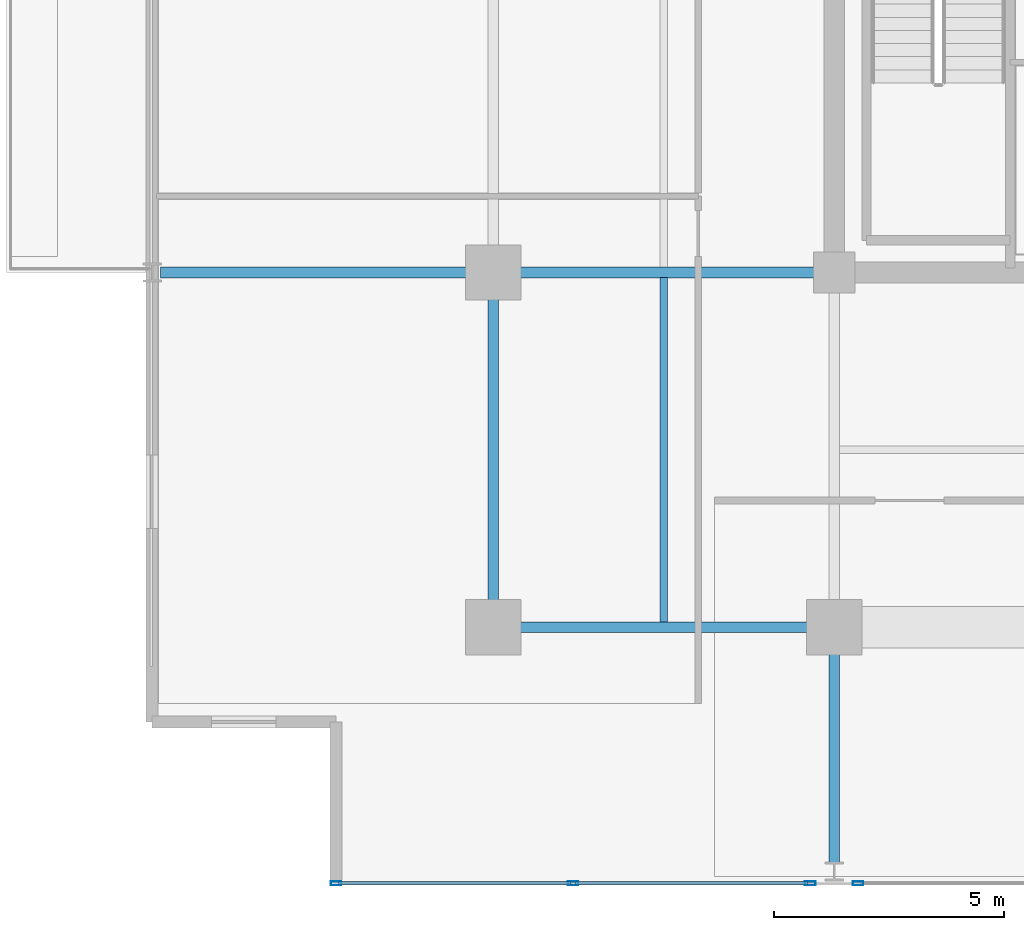
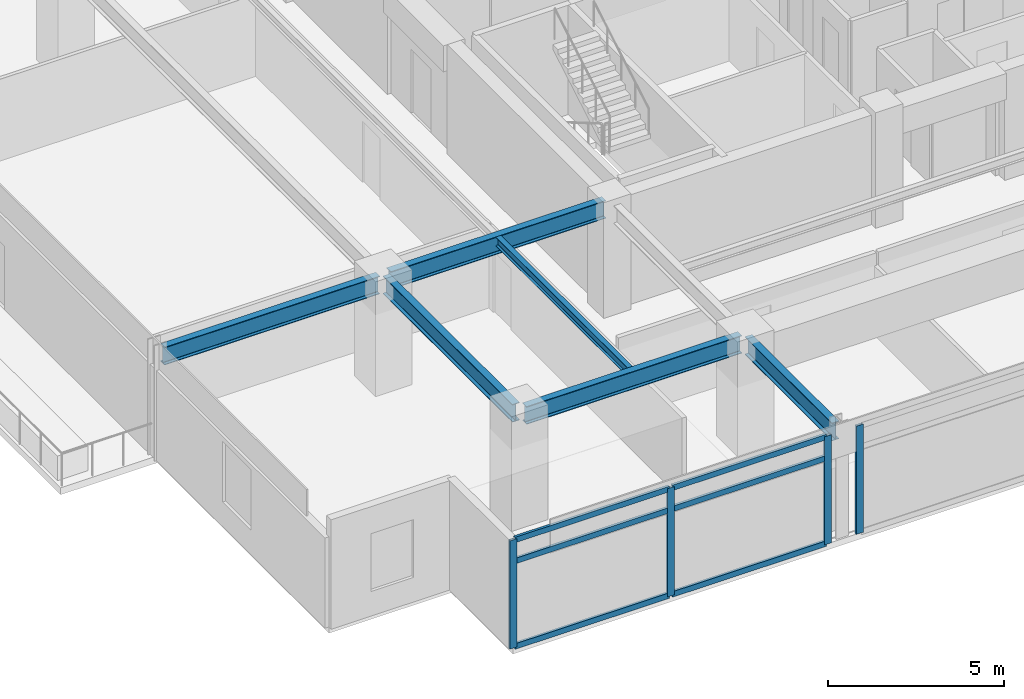
# One storey, part 2 of 20: 10 members, 6 beams, 2 elements without a shape of their own.
"""IFC4 building model written with IfcOpenShell, lengths in metres."""

from ifc_helpers import new_model, si_unit, direction, frame, origin, origin_2d, place, context, subcontext, project, spatial, hollow_rectangle, i_section, extrude, material, material_profile, profile_set, type_object, element, aggregate, save


model = new_model("IFC4")

# Units and contexts
model_context = context("Model", 3, precision=1e-05, world=origin(), true_north=direction((0.0, 1.0)))
body_context = subcontext(model_context, "Body", "Model", "MODEL_VIEW")
ifc_project = project(units=[si_unit("LENGTHUNIT", "METRE"), si_unit("AREAUNIT", "SQUARE_METRE"), si_unit("VOLUMEUNIT", "CUBIC_METRE"), si_unit("PLANEANGLEUNIT", "RADIAN"), si_unit("MASSUNIT", "GRAM", prefix="KILO")], contexts=[model_context])

# Site, building, storey
site_placement = place(None, origin())
site = spatial("IfcSite", under=ifc_project, at=site_placement, CompositionType="ELEMENT")
building_placement = place(site_placement, origin())
building = spatial("IfcBuilding", under=site, at=building_placement, Name="Kovane Verandah Tower", CompositionType="ELEMENT")
storey_placement = place(building_placement, frame((0.0, 0.0, 279.199951171875)))
storey = spatial("IfcBuildingStorey", under=building, at=storey_placement, Name="L65", CompositionType="ELEMENT", Elevation=279.199951171875)

# Beams
ifc_material_1 = material(Name="Steel S355", Category="steel")
ifc_material_profile_1 = material_profile(ifc_material_1, i_section(OverallWidth=0.230224609375, OverallDepth=0.6171875, WebThickness=0.01318359375, FlangeThickness=0.022216796875, FilletRadius=0.0126953125, at=origin_2d()), Name="UB610x229x140")
ifc_profile_set_1 = profile_set([ifc_material_profile_1], Name="Steel S355")
beam_type_1 = type_object("IfcBeamType", Name="BM-UB610x140", PredefinedType="BEAM", material=ifc_profile_set_1)
beam_1_placement = place(storey_placement, frame((21.780029296875, 10.800048828125, 3.4765625), z_axis=(1.0, 0.0, 0.0), x_axis=(0.0, 1.0, 0.0)))
element("IfcBeam", 1, at=beam_1_placement, inside=storey, type_object=beam_type_1, Name="L65 Primary Tower Girder G-RS1", PredefinedType="BEAM", context=body_context, shape_type="SweptSolid", body=[
    extrude(i_section(OverallWidth=0.230224609375, OverallDepth=0.6171875, WebThickness=0.01318359375, FlangeThickness=0.022216796875, FilletRadius=0.0126953125, at=origin_2d()), origin(), (0.0, 0.0, 1.0), 7.0400390625),
])
beam_2_placement = place(storey_placement, frame((21.60009765625, 10.97998046875, 3.4765625), z_axis=(0.0, 1.0, 0.0), x_axis=(-1.0, 0.0, 0.0)))
element("IfcBeam", 2, at=beam_2_placement, inside=storey, type_object=beam_type_1, Name="L65 Primary Tower Girder G-RW1", PredefinedType="BEAM", context=body_context, shape_type="SweptSolid", body=[
    extrude(i_section(OverallWidth=0.230224609375, OverallDepth=0.6171875, WebThickness=0.01318359375, FlangeThickness=0.022216796875, FilletRadius=0.0126953125, at=origin_2d()), origin(), (0.0, 0.0, 1.0), 7.340087890625),
])
for number, where, z_axis, x_axis, name in (
    (3, (28.820068359375, 18.5, 3.4765625), (-1.0, 0.0, 0.0), (0.0, -1.0, 0.0), "L65 Primary Tower Girder G-W1"),
    (4, (21.419921875, 18.5, 3.451416015625), (-1.0, 0.0, 0.0), (0.0, -1.0, 0.0), "L65 Primary Tower Girder G-VW1"),
):
    element("IfcBeam", number, at=place(storey_placement, frame(where, z_axis=z_axis, x_axis=x_axis)), inside=storey, type_object=beam_type_1, Name=name, PredefinedType="BEAM", context=body_context, shape_type="SweptSolid", body=[
        extrude(i_section(OverallWidth=0.230224609375, OverallDepth=0.6171875, WebThickness=0.01318359375, FlangeThickness=0.022216796875, FilletRadius=0.0126953125, at=origin_2d()), origin(), (0.0, 0.0, 1.0), 7.0400390625),
    ])
beam_3_placement = place(storey_placement, frame((29.0, 10.6201171875, 3.451416015625), z_axis=(0.0, -1.0, 0.0), x_axis=(1.0, 0.0, 0.0)))
element("IfcBeam", 5, at=beam_3_placement, inside=storey, type_object=beam_type_1, Name="L65 Primary Tower Girder G-VS1", PredefinedType="BEAM", context=body_context, shape_type="SweptSolid", body=[
    extrude(i_section(OverallWidth=0.230224609375, OverallDepth=0.6171875, WebThickness=0.01318359375, FlangeThickness=0.022216796875, FilletRadius=0.0126953125, at=origin_2d()), origin(), (0.0, 0.0, 1.0), 4.940185546875),
])

# Curtain wall, members
ifc_material_2 = material(Name="Champagne Anodised Aluminium Frame with Low-E Clear Laminated Glass", Category="aluminium")
curtain_wall_type = type_object("IfcCurtainWallType", Name="CW-SYS-05-HIGH", PredefinedType="NOTDEFINED", material=ifc_material_2)
curtain_wall_1_placement = place(storey_placement, origin())
curtain_wall_1 = element("IfcCurtainWall", 6, at=curtain_wall_1_placement, inside=storey, type_object=curtain_wall_type, Name="L65 S Unitised Curtain Wall-1", PredefinedType="NOTDEFINED")
ifc_material_3 = material(Name="Champagne Anodised Aluminium 6063-T6", Category="aluminium")
ifc_material_profile_2 = material_profile(ifc_material_3, hollow_rectangle(XDim=0.0849609375, YDim=0.22998046875, WallThickness=0.00390625, at=origin_2d()), Name="AL85x230x4")
ifc_profile_set_2 = profile_set([ifc_material_profile_2], Name="Champagne Anodised Aluminium 6063-T6")
member_type_1 = type_object("IfcMemberType", Name="CW-MUL-85x230", PredefinedType="MULLION", material=ifc_profile_set_2)
member_1_placement = place(storey_placement, frame((18.190185546875, 5.24365234375, 0.02001953125), z_axis=(0.0, 0.0, 1.0), x_axis=(0.0, -1.0, 0.0)))
member_1 = element("IfcMember", 7, at=member_1_placement, type_object=member_type_1, Name="L65 S Unitised Curtain Wall-1 Mullion 1", PredefinedType="MULLION", context=body_context, shape_type="SweptSolid", body=[
    extrude(hollow_rectangle(XDim=0.0849609375, YDim=0.22998046875, WallThickness=0.00390625, at=origin_2d()), origin(), (0.0, 0.0, 1.0), 3.7451171875),
])
member_2_placement = place(storey_placement, frame((23.335205078125, 5.24365234375, 0.02001953125), z_axis=(0.0, 0.0, 1.0), x_axis=(0.0, -1.0, 0.0)))
member_2 = element("IfcMember", 8, at=member_2_placement, type_object=member_type_1, Name="L65 S Unitised Curtain Wall-1 Mullion 2", PredefinedType="MULLION", context=body_context, shape_type="SweptSolid", body=[
    extrude(hollow_rectangle(XDim=0.0849609375, YDim=0.22998046875, WallThickness=0.00390625, at=origin_2d()), origin(), (0.0, 0.0, 1.0), 3.7451171875),
])
member_3_placement = place(storey_placement, frame((28.47998046875, 5.24365234375, 0.02001953125), z_axis=(0.0, 0.0, 1.0), x_axis=(0.0, -1.0, 0.0)))
member_3 = element("IfcMember", 9, at=member_3_placement, type_object=member_type_1, Name="L65 S Unitised Curtain Wall-1 Mullion 3", PredefinedType="MULLION", context=body_context, shape_type="SweptSolid", body=[
    extrude(hollow_rectangle(XDim=0.0849609375, YDim=0.22998046875, WallThickness=0.00390625, at=origin_2d()), origin(), (0.0, 0.0, 1.0), 3.7451171875),
])

# Curtain wall, member
curtain_wall_2_placement = place(storey_placement, origin())
curtain_wall_2 = element("IfcCurtainWall", 10, at=curtain_wall_2_placement, inside=storey, type_object=curtain_wall_type, Name="L65 S Unitised Curtain Wall-2", PredefinedType="NOTDEFINED")
member_4_placement = place(storey_placement, frame((29.52001953125, 5.24365234375, 0.02001953125), z_axis=(0.0, 0.0, 1.0), x_axis=(0.0, -1.0, 0.0)))
member_4 = element("IfcMember", 11, at=member_4_placement, type_object=member_type_1, Name="L65 S Unitised Curtain Wall-2 Mullion 1", PredefinedType="MULLION", context=body_context, shape_type="SweptSolid", body=[
    extrude(hollow_rectangle(XDim=0.0849609375, YDim=0.22998046875, WallThickness=0.00390625, at=origin_2d()), origin(), (0.0, 0.0, 1.0), 3.7451171875),
])
aggregate(curtain_wall_2, [member_4])

# Member
ifc_material_profile_3 = material_profile(ifc_material_3, hollow_rectangle(XDim=0.0849609375, YDim=0.18994140625, WallThickness=0.00390625, at=origin_2d()), Name="AL85x190x4")
ifc_profile_set_3 = profile_set([ifc_material_profile_3], Name="Champagne Anodised Aluminium 6063-T6")
member_type_2 = type_object("IfcMemberType", Name="CW-TRN-85x190", PredefinedType="USERDEFINED", material=ifc_profile_set_3)
member_5_placement = place(storey_placement, frame((18.240234375, 5.24365234375, 0.050048828125), z_axis=(1.0, 0.0, 0.0), x_axis=(0.0, 1.0, 0.0)))
member_5 = element("IfcMember", 12, at=member_5_placement, type_object=member_type_2, Name="L65 S Unitised Curtain Wall-1 Transom TB Bay 1", ObjectType="TRANSOM", PredefinedType="USERDEFINED", context=body_context, shape_type="SweptSolid", body=[
    extrude(hollow_rectangle(XDim=0.0849609375, YDim=0.18994140625, WallThickness=0.00390625, at=origin_2d()), origin(), (0.0, 0.0, 1.0), 5.044921875),
])

member_6_placement = place(storey_placement, frame((18.240234375, 5.24365234375, 3.005126953125), z_axis=(1.0, 0.0, 0.0), x_axis=(0.0, 1.0, 0.0)))
member_6 = element("IfcMember", 13, at=member_6_placement, type_object=member_type_2, Name="L65 S Unitised Curtain Wall-1 Transom TM Bay 1", ObjectType="TRANSOM", PredefinedType="USERDEFINED", context=body_context, shape_type="SweptSolid", body=[
    extrude(hollow_rectangle(XDim=0.0849609375, YDim=0.18994140625, WallThickness=0.00390625, at=origin_2d()), origin(), (0.0, 0.0, 1.0), 5.044921875),
])

member_7_placement = place(storey_placement, frame((18.240234375, 5.24365234375, 3.735107421875), z_axis=(1.0, 0.0, 0.0), x_axis=(0.0, 1.0, 0.0)))
member_7 = element("IfcMember", 14, at=member_7_placement, type_object=member_type_2, Name="L65 S Unitised Curtain Wall-1 Transom TT Bay 1", ObjectType="TRANSOM", PredefinedType="USERDEFINED", context=body_context, shape_type="SweptSolid", body=[
    extrude(hollow_rectangle(XDim=0.0849609375, YDim=0.18994140625, WallThickness=0.00390625, at=origin_2d()), origin(), (0.0, 0.0, 1.0), 5.044921875),
])

member_8_placement = place(storey_placement, frame((23.385009765625, 5.24365234375, 0.050048828125), z_axis=(1.0, 0.0, 0.0), x_axis=(0.0, 1.0, 0.0)))
member_8 = element("IfcMember", 15, at=member_8_placement, type_object=member_type_2, Name="L65 S Unitised Curtain Wall-1 Transom TB Bay 2", ObjectType="TRANSOM", PredefinedType="USERDEFINED", context=body_context, shape_type="SweptSolid", body=[
    extrude(hollow_rectangle(XDim=0.0849609375, YDim=0.18994140625, WallThickness=0.00390625, at=origin_2d()), origin(), (0.0, 0.0, 1.0), 5.044921875),
])

member_9_placement = place(storey_placement, frame((23.385009765625, 5.24365234375, 3.005126953125), z_axis=(1.0, 0.0, 0.0), x_axis=(0.0, 1.0, 0.0)))
member_9 = element("IfcMember", 16, at=member_9_placement, type_object=member_type_2, Name="L65 S Unitised Curtain Wall-1 Transom TM Bay 2", ObjectType="TRANSOM", PredefinedType="USERDEFINED", context=body_context, shape_type="SweptSolid", body=[
    extrude(hollow_rectangle(XDim=0.0849609375, YDim=0.18994140625, WallThickness=0.00390625, at=origin_2d()), origin(), (0.0, 0.0, 1.0), 5.044921875),
])

member_10_placement = place(storey_placement, frame((23.385009765625, 5.24365234375, 3.735107421875), z_axis=(1.0, 0.0, 0.0), x_axis=(0.0, 1.0, 0.0)))
member_10 = element("IfcMember", 17, at=member_10_placement, type_object=member_type_2, Name="L65 S Unitised Curtain Wall-1 Transom TT Bay 2", ObjectType="TRANSOM", PredefinedType="USERDEFINED", context=body_context, shape_type="SweptSolid", body=[
    extrude(hollow_rectangle(XDim=0.0849609375, YDim=0.18994140625, WallThickness=0.00390625, at=origin_2d()), origin(), (0.0, 0.0, 1.0), 5.044921875),
])

aggregate(curtain_wall_1, [member_1, member_2, member_3, member_5, member_6, member_7, member_8, member_9, member_10])

# Beam
ifc_material_profile_4 = material_profile(ifc_material_1, i_section(OverallWidth=0.1669921875, OverallDepth=0.310302734375, WebThickness=0.0078125, FlangeThickness=0.013671875, FilletRadius=0.0087890625, at=origin_2d()), Name="UB305x165x54")
ifc_profile_set_4 = profile_set([ifc_material_profile_4], Name="Steel S355")
beam_type_2 = type_object("IfcBeamType", Name="JST-UB305x54", PredefinedType="JOIST", material=ifc_profile_set_4)
beam_4_placement = place(storey_placement, frame((25.300048828125, 10.9130859375, 3.6298828125), z_axis=(0.0, 1.0, 0.0), x_axis=(-1.0, 0.0, 0.0)))
element("IfcBeam", 18, at=beam_4_placement, inside=storey, type_object=beam_type_2, Name="L65 Secondary Composite Joist J-SW1", PredefinedType="JOIST", context=body_context, shape_type="SweptSolid", body=[
    extrude(i_section(OverallWidth=0.1669921875, OverallDepth=0.310302734375, WebThickness=0.0078125, FlangeThickness=0.013671875, FilletRadius=0.0087890625, at=origin_2d()), origin(), (0.0, 0.0, 1.0), 7.473876953125),
])

save(model, "model.ifc")
